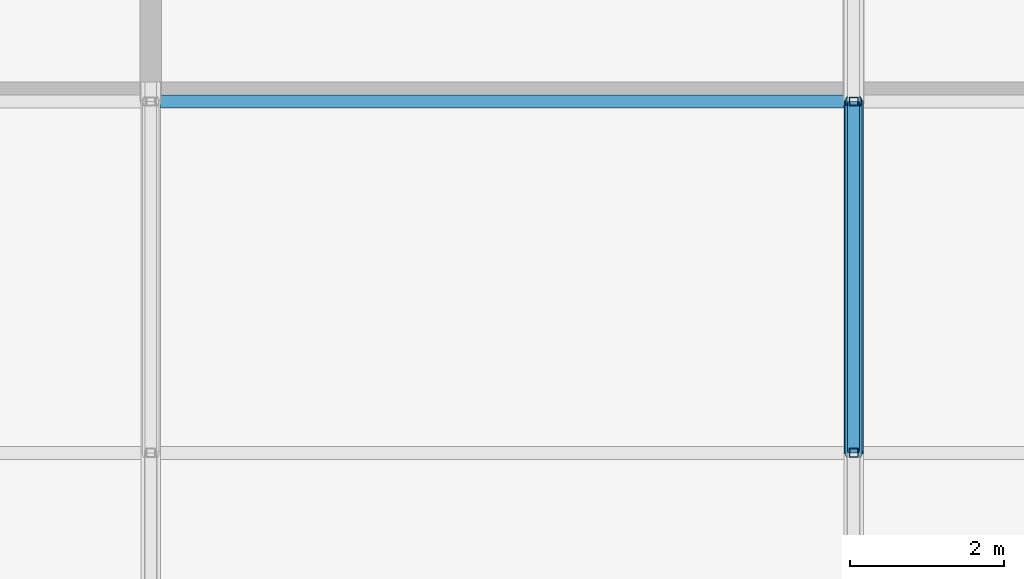
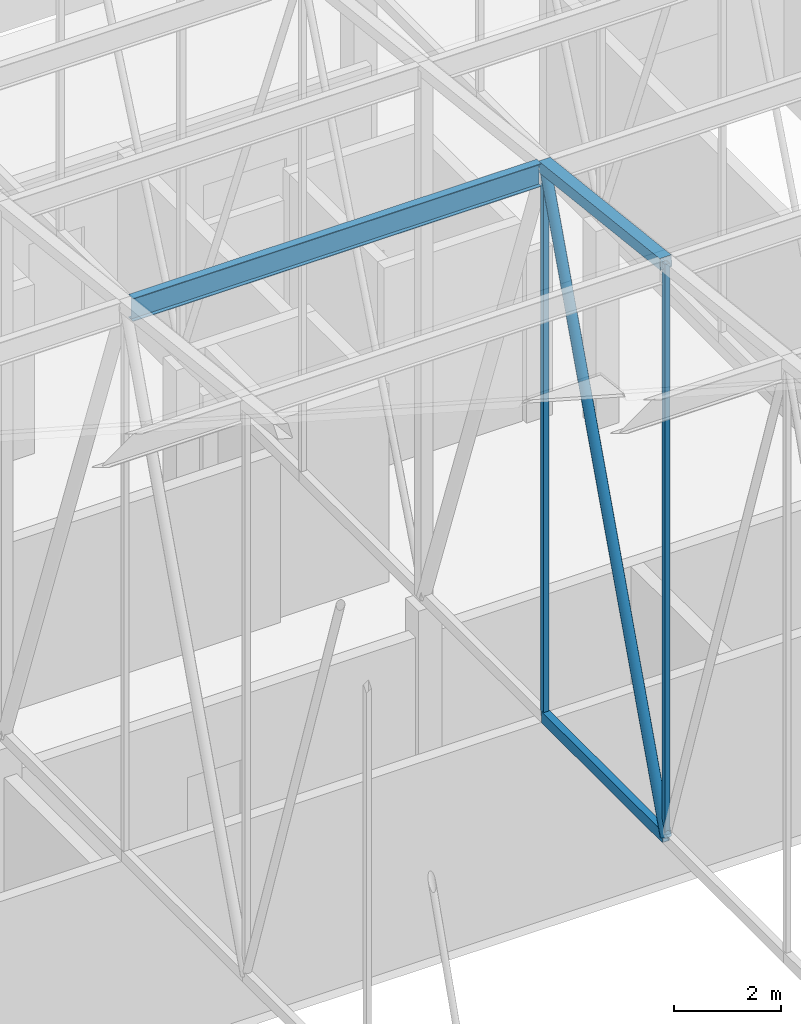
# One storey, part 282 of 500: 6 members.
"""IFC4 building model written with IfcOpenShell, lengths in metres."""

from ifc_helpers import new_model, si_unit, direction, frame, origin, origin_2d, place, context, subcontext, project, spatial, hollow_rectangle, hollow_circle, i_section, extrude, material, material_profile, profile_set, type_object, element, save


model = new_model("IFC4")

# Units and contexts
model_context = context("Model", 3, precision=1e-05, world=origin(), true_north=direction((0.0, 1.0)))
body_context = subcontext(model_context, "Body", "Model", "MODEL_VIEW")
ifc_project = project(units=[si_unit("LENGTHUNIT", "METRE"), si_unit("AREAUNIT", "SQUARE_METRE"), si_unit("VOLUMEUNIT", "CUBIC_METRE"), si_unit("PLANEANGLEUNIT", "RADIAN"), si_unit("MASSUNIT", "GRAM", prefix="KILO")], contexts=[model_context])

# Site, building, storey
site_placement = place(None, origin())
site = spatial("IfcSite", under=ifc_project, at=site_placement, CompositionType="ELEMENT")
building_placement = place(site_placement, origin())
building = spatial("IfcBuilding", under=site, at=building_placement, Name="Shirokan Park Arena", CompositionType="ELEMENT")
storey_placement = place(building_placement, frame((0.0, 0.0, 29.1201171875)))
storey = spatial("IfcBuildingStorey", under=building, at=storey_placement, Name="L06", CompositionType="ELEMENT", Elevation=29.1201171875)

# Members
ifc_material_1 = material(Name="Steel ASTM A500 Grade C", Category="steel")
ifc_material_profile_1 = material_profile(ifc_material_1, hollow_rectangle(XDim=0.152099609375, YDim=0.25390625, WallThickness=0.009521484375, at=origin_2d()), Name="HSS254X152.4X9.5")
ifc_profile_set_1 = profile_set([ifc_material_profile_1], Name="Steel ASTM A500 Grade C")
member_type_1 = type_object("IfcMemberType", Name="Bottom chord HSS254X152.4X9.5", PredefinedType="CHORD", material=ifc_profile_set_1)
member_1_placement = place(storey_placement, frame((118.300048828125, 63.699951171875, 4.677001953125), z_axis=(0.0, 1.0, 0.0), x_axis=(-1.0, 0.0, 0.0)))
element("IfcMember", 1, at=member_1_placement, inside=storey, type_object=member_type_1, Name="Truss T14 bottom chord 17", PredefinedType="CHORD", context=body_context, shape_type="SweptSolid", body=[
    extrude(hollow_rectangle(XDim=0.152099609375, YDim=0.25390625, WallThickness=0.009521484375, at=origin_2d()), origin(), (0.0, 0.0, 1.0), 4.550048828125),
])
ifc_material_2 = material(Name="Steel ASTM A992", Category="steel")
ifc_material_profile_2 = material_profile(ifc_material_2, i_section(OverallWidth=0.166015625, OverallDepth=0.528076171875, WebThickness=0.009765625, FlangeThickness=0.013671875, at=origin_2d()), Name="W530X74")
ifc_profile_set_2 = profile_set([ifc_material_profile_2], Name="Steel ASTM A992")
member_type_2 = type_object("IfcMemberType", Name="Purlin W530X74", PredefinedType="PURLIN", material=ifc_profile_set_2)
member_2_placement = place(storey_placement, frame((109.326904296875, 68.25, 17.165771484375), z_axis=(1.0, 0.0, 0.0), x_axis=(0.0, 1.0, 0.0)))
element("IfcMember", 2, at=member_2_placement, inside=storey, type_object=member_type_2, Name="Purlin 18 bay 13", PredefinedType="PURLIN", context=body_context, shape_type="SweptSolid", body=[
    extrude(i_section(OverallWidth=0.166015625, OverallDepth=0.528076171875, WebThickness=0.009765625, FlangeThickness=0.013671875, at=origin_2d()), origin(), (0.0, 0.0, 1.0), 8.84619140625),
])
ifc_material_profile_3 = material_profile(ifc_material_1, hollow_rectangle(XDim=0.25390625, YDim=0.25390625, WallThickness=0.009521484375, at=origin_2d()), Name="HSS254X254X9.5")
ifc_profile_set_3 = profile_set([ifc_material_profile_3], Name="Steel ASTM A500 Grade C")
member_type_3 = type_object("IfcMemberType", Name="Top chord HSS254X254X9.5", PredefinedType="CHORD", material=ifc_profile_set_3)
member_3_placement = place(storey_placement, frame((118.300048828125, 63.699951171875, 17.822998046875), z_axis=(0.0, 0.993532328996, -0.113549598152), x_axis=(-1.0, 0.0, 0.0)))
element("IfcMember", 3, at=member_3_placement, inside=storey, type_object=member_type_3, Name="Truss T14 top chord 17", PredefinedType="CHORD", context=body_context, shape_type="SweptSolid", body=[
    extrude(hollow_rectangle(XDim=0.25390625, YDim=0.25390625, WallThickness=0.009521484375, at=origin_2d()), origin(), (0.0, 0.0, 1.0), 4.57958984375),
])
ifc_material_profile_4 = material_profile(ifc_material_1, hollow_circle(Radius=0.109619140625, WallThickness=0.009521484375, at=origin_2d()), Name="HSS219.1X9.5")
ifc_profile_set_4 = profile_set([ifc_material_profile_4], Name="Steel ASTM A500 Grade C")
member_type_4 = type_object("IfcMemberType", Name="Truss diagonal HSS219.1X9.5", PredefinedType="BRACE", material=ifc_profile_set_4)
member_4_placement = place(storey_placement, frame((118.300048828125, 63.699951171875, 4.677001953125), z_axis=(0.0, 0.339029292845, 0.940775817394), x_axis=(-1.0, 0.0, 0.0)))
element("IfcMember", 4, at=member_4_placement, inside=storey, type_object=member_type_4, Name="Truss T14 diagonal 17", PredefinedType="BRACE", context=body_context, shape_type="SweptSolid", body=[
    extrude(hollow_circle(Radius=0.109619140625, WallThickness=0.009521484375, at=origin_2d()), origin(), (0.0, 0.0, 1.0), 13.4208984375),
])
ifc_material_profile_5 = material_profile(ifc_material_1, hollow_rectangle(XDim=0.114013671875, YDim=0.114013671875, WallThickness=0.00634765625, at=origin_2d()), Name="HSS114.3X114.3X6.4")
ifc_profile_set_5 = profile_set([ifc_material_profile_5], Name="Steel ASTM A500 Grade C")
member_type_5 = type_object("IfcMemberType", Name="Truss post HSS114.3X114.3X6.4", PredefinedType="POST", material=ifc_profile_set_5)
member_5_placement = place(storey_placement, frame((118.300048828125, 63.699951171875, 4.677001953125), z_axis=(0.0, 0.0, 1.0), x_axis=(1.0, 0.0, 0.0)))
element("IfcMember", 5, at=member_5_placement, inside=storey, type_object=member_type_5, Name="Truss T14 post 17", PredefinedType="POST", context=body_context, shape_type="SweptSolid", body=[
    extrude(hollow_rectangle(XDim=0.114013671875, YDim=0.114013671875, WallThickness=0.00634765625, at=origin_2d()), origin(), (0.0, 0.0, 1.0), 13.14599609375),
])
member_6_placement = place(storey_placement, frame((118.300048828125, 68.25, 4.677001953125), z_axis=(0.0, 0.0, 1.0), x_axis=(1.0, 0.0, 0.0)))
element("IfcMember", 6, at=member_6_placement, inside=storey, type_object=member_type_5, Name="Truss T14 post 18", PredefinedType="POST", context=body_context, shape_type="SweptSolid", body=[
    extrude(hollow_rectangle(XDim=0.114013671875, YDim=0.114013671875, WallThickness=0.00634765625, at=origin_2d()), origin(), (0.0, 0.0, 1.0), 12.6259765625),
])

save(model, "model.ifc")
